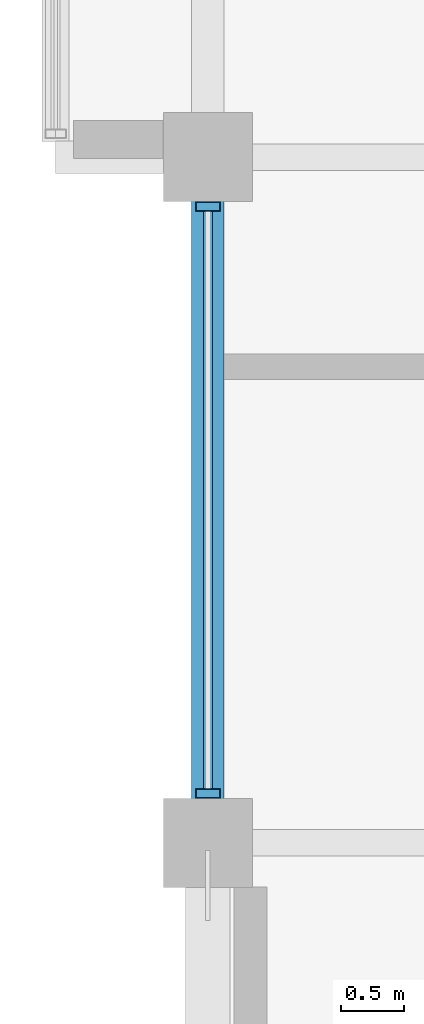
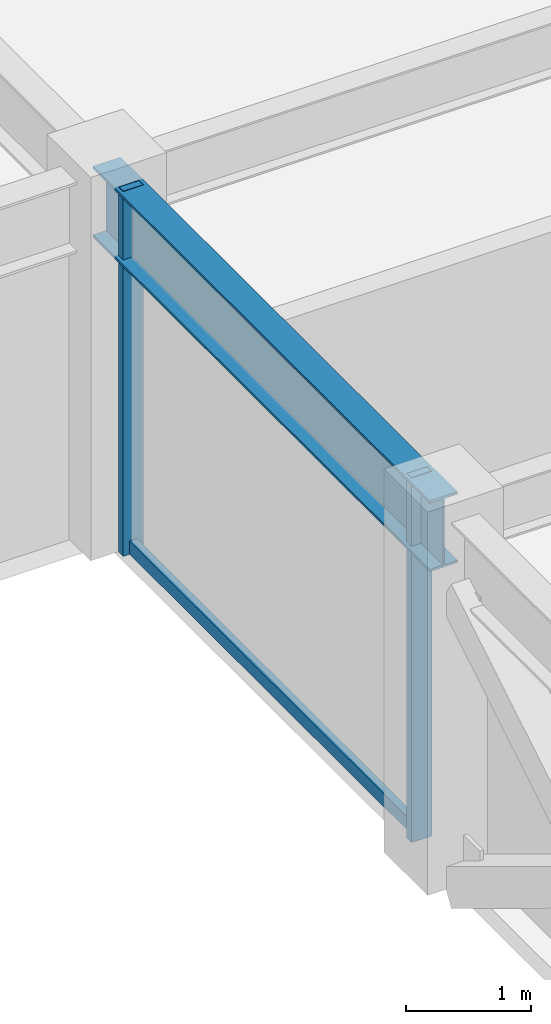
# One storey, part 4 of 32: 3 members, 1 beam, 1 element without a shape of its own.
"""IFC4 building model written with IfcOpenShell, lengths in metres."""

from ifc_helpers import new_model, si_unit, direction, frame, origin, origin_2d, place, context, subcontext, project, spatial, hollow_rectangle, i_section, extrude, material, layer, layer_set, material_profile, profile_set, type_object, element, aggregate, save


model = new_model("IFC4")

# Units and contexts
model_context = context("Model", 3, precision=1e-05, world=origin(), true_north=direction((0.0, 1.0)))
body_context = subcontext(model_context, "Body", "Model", "MODEL_VIEW")
ifc_project = project(units=[si_unit("LENGTHUNIT", "METRE"), si_unit("AREAUNIT", "SQUARE_METRE"), si_unit("VOLUMEUNIT", "CUBIC_METRE"), si_unit("PLANEANGLEUNIT", "RADIAN"), si_unit("MASSUNIT", "GRAM", prefix="KILO")], contexts=[model_context])

# Site, building, storey
site_placement = place(None, origin())
site = spatial("IfcSite", under=ifc_project, at=site_placement, CompositionType="ELEMENT")
building_placement = place(site_placement, origin())
building = spatial("IfcBuilding", under=site, at=building_placement, Name="Surkhivell Harbour Commons", CompositionType="ELEMENT")
storey_placement = place(building_placement, frame((0.0, 0.0, 311.25)))
storey = spatial("IfcBuildingStorey", under=building, at=storey_placement, Name="L81", CompositionType="ELEMENT", Elevation=311.25)

# Beam
ifc_material_1 = material(Name="Steel S355", Category="steel")
ifc_material_profile_1 = material_profile(ifc_material_1, i_section(OverallWidth=0.256103515625, OverallDepth=0.693115234375, WebThickness=0.014404296875, FlangeThickness=0.023681640625, at=origin_2d()), Name="UB686x254x170")
ifc_profile_set_1 = profile_set([ifc_material_profile_1], Name="Steel S355")
beam_type = type_object("IfcBeamType", Name="BM-SPN-686", PredefinedType="SPANDREL", material=ifc_profile_set_1)
beam_placement = place(storey_placement, frame((-27.0, -10.800048828125, 3.223388671875), z_axis=(0.0, 1.0, 0.0), x_axis=(-1.0, 0.0, 0.0)))
element("IfcBeam", 1, at=beam_placement, inside=storey, type_object=beam_type, Name="L81 Tube Spandrel (-27.0,-10.8)", PredefinedType="SPANDREL", context=body_context, shape_type="SweptSolid", body=[
    extrude(i_section(OverallWidth=0.256103515625, OverallDepth=0.693115234375, WebThickness=0.014404296875, FlangeThickness=0.023681640625, at=origin_2d()), origin(), (0.0, 0.0, 1.0), 5.400146484375),
])

# Curtain wall, members
ifc_material_2 = material(Name="Anodised pale-metal aluminium and insulated glazing", Category="aluminium")
ifc_layer = layer(ifc_material_2, 0.175048828125)
ifc_layer_set = layer_set([ifc_layer], Name="Anodised pale-metal aluminium and insulated glazing")
curtain_wall_type = type_object("IfcCurtainWallType", Name="CW-SYS-Z4", PredefinedType="NOTDEFINED", material=ifc_layer_set)
curtain_wall_placement = place(storey_placement, origin())
curtain_wall = element("IfcCurtainWall", 2, at=curtain_wall_placement, inside=storey, type_object=curtain_wall_type, Name="L81 Curtain Wall CW-L81-E12R1S1", PredefinedType="NOTDEFINED")
ifc_material_3 = material(Name="Anodised pale-metal aluminium alloy 6063-T6", Category="aluminium")
ifc_material_profile_2 = material_profile(ifc_material_3, hollow_rectangle(XDim=0.074951171875, YDim=0.18994140625, WallThickness=0.00390625, at=origin_2d()), Name="ALU-MULL-75x190")
ifc_profile_set_2 = profile_set([ifc_material_profile_2], Name="Anodised pale-metal aluminium alloy 6063-T6")
member_type_1 = type_object("IfcMemberType", Name="CWM-190", PredefinedType="MULLION", material=ifc_profile_set_2)
member_1_placement = place(storey_placement, frame((-27.0, -10.410400390625, 0.0), z_axis=(0.0, 0.0, 1.0), x_axis=(0.0, 1.0, 0.0)))
member_1 = element("IfcMember", 3, at=member_1_placement, type_object=member_type_1, Name="CW-Z4 mullion 1", PredefinedType="MULLION", context=body_context, shape_type="SweptSolid", body=[
    extrude(hollow_rectangle(XDim=0.074951171875, YDim=0.18994140625, WallThickness=0.00390625, at=origin_2d()), origin(), (0.0, 0.0, 1.0), 3.570068359375),
])
member_2_placement = place(storey_placement, frame((-27.0, -5.78955078125, 0.0), z_axis=(0.0, 0.0, 1.0), x_axis=(0.0, 1.0, 0.0)))
member_2 = element("IfcMember", 4, at=member_2_placement, type_object=member_type_1, Name="CW-Z4 mullion 2", PredefinedType="MULLION", context=body_context, shape_type="SweptSolid", body=[
    extrude(hollow_rectangle(XDim=0.074951171875, YDim=0.18994140625, WallThickness=0.00390625, at=origin_2d()), origin(), (0.0, 0.0, 1.0), 3.570068359375),
])
ifc_material_4 = material(Name="Champagne anodised aluminium alloy 6063-T6", Category="aluminium")
ifc_material_profile_3 = material_profile(ifc_material_4, hollow_rectangle(XDim=0.070068359375, YDim=0.1298828125, WallThickness=0.00341796875, at=origin_2d()), Name="ALU-TRAN-70x130")
ifc_profile_set_3 = profile_set([ifc_material_profile_3], Name="Champagne anodised aluminium alloy 6063-T6")
member_type_2 = type_object("IfcMemberType", Name="CWT-130", PredefinedType="USERDEFINED", material=ifc_profile_set_3)
member_3_placement = place(storey_placement, frame((-27.0, -10.373046875, 0.06494140625), z_axis=(0.0, 1.0, 0.0), x_axis=(-1.0, 0.0, 0.0)))
member_3 = element("IfcMember", 5, at=member_3_placement, type_object=member_type_2, Name="CW-Z4 transom 1.1", ObjectType="TRANSOM", PredefinedType="USERDEFINED", context=body_context, shape_type="SweptSolid", body=[
    extrude(hollow_rectangle(XDim=0.070068359375, YDim=0.1298828125, WallThickness=0.00341796875, at=origin_2d()), origin(), (0.0, 0.0, 1.0), 4.546142578125),
])
aggregate(curtain_wall, [member_1, member_2, member_3])

save(model, "model.ifc")
